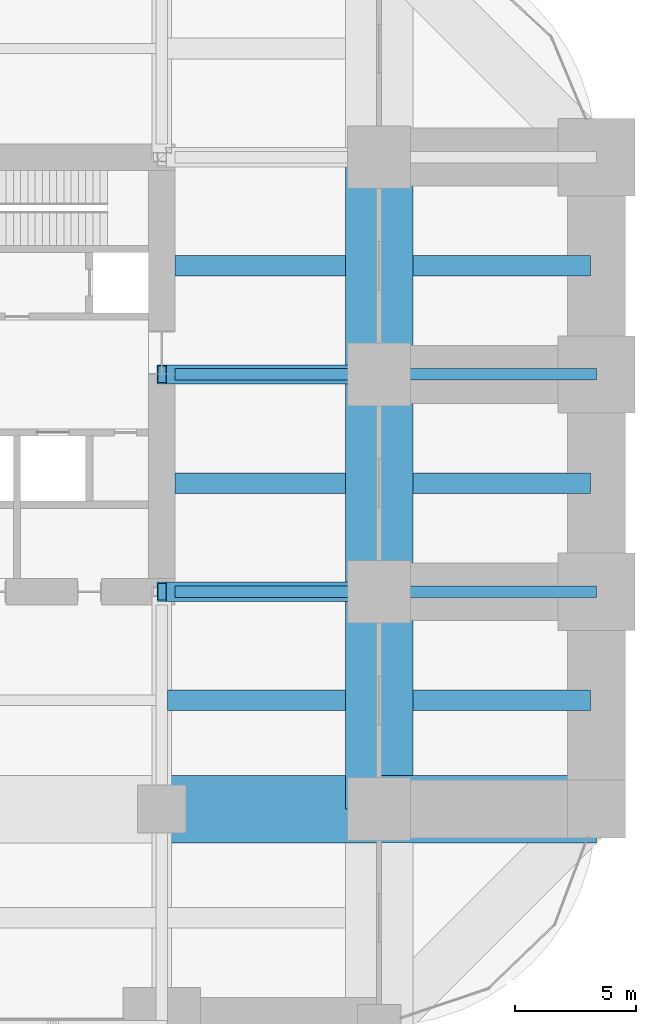
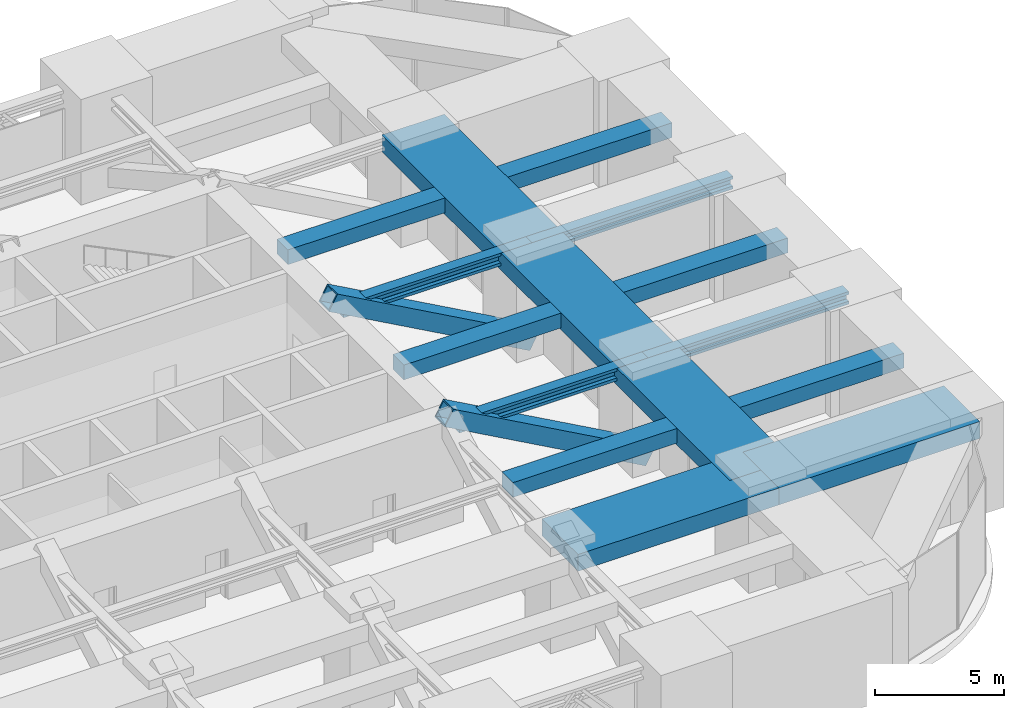
# One storey, part 19 of 38: 15 beams, 2 members.
"""IFC4 building model written with IfcOpenShell, lengths in metres."""

import ifcopenshell
import ifcopenshell.guid

model = None  # the IFC model being written
_history = None  # IfcOwnerHistory: only IFC2X3 demands one
_inside = {}  # id of a spatial element -> (the spatial element, [elements in it])
_under = {}  # id of a project, library or spatial element -> (it, [spatial elements below it])
_declared = {}  # id of a project -> (the project, [libraries it declares])
_typed = {}  # id of a type object -> (the type object, [elements of that type])
_made_of = {}  # id of a material, layer set ... -> (it, [elements and type objects made of it])


def new_model(schema):
    """Start an empty IFC model of exactly this schema.

    Asked for "IFC4X3", IfcOpenShell would pick the latest addendum, in which some entities
    have other attributes; the version numbers below select the first issue.
    IFC2X3 requires an IfcOwnerHistory on every rooted entity: one is made here for all.
    """
    global model, _history
    if schema == "IFC4X3":
        model = ifcopenshell.file(schema_version=(4, 3, 0, 0))
    else:
        model = ifcopenshell.file(schema=schema)
    _inside.clear()
    _under.clear()
    _declared.clear()
    _typed.clear()
    _made_of.clear()
    _history = None
    if model.schema == "IFC2X3":
        org = make("IfcOrganization", Name="unknown")
        user = make(
            "IfcPersonAndOrganization",
            ThePerson=make("IfcPerson", FamilyName="unknown"),
            TheOrganization=org,
        )
        app = make(
            "IfcApplication",
            ApplicationDeveloper=org,
            Version="unknown",
            ApplicationFullName="unknown",
            ApplicationIdentifier="unknown",
        )
        _history = make(
            "IfcOwnerHistory",
            OwningUser=user,
            OwningApplication=app,
            ChangeAction="ADDED",
            CreationDate=0,
        )
    return model


def make(cls, **values):
    """One entity of the class cls with the attributes given. An attribute that is None is left unset."""
    return model.create_entity(
        cls, **{name: value for name, value in values.items() if value is not None}
    )


def rooted(cls, **values):
    """An entity with a GlobalId (a new one), such as an element, a storey or a relation."""
    return make(cls, GlobalId=ifcopenshell.guid.new(), OwnerHistory=_history, **values)


def si_unit(unit_type, name, prefix=None):
    """IfcSIUnit, for example si_unit("LENGTHUNIT", "METRE", prefix="MILLI")."""
    return make("IfcSIUnit", UnitType=unit_type, Prefix=prefix, Name=name)


def assignment(units):
    """IfcUnitAssignment: the units of a project."""
    return None if units is None else make("IfcUnitAssignment", Units=units)


def point(xyz):
    """IfcCartesianPoint."""
    return None if xyz is None else make("IfcCartesianPoint", Coordinates=xyz)


def direction(xyz):
    """IfcDirection."""
    return None if xyz is None else make("IfcDirection", DirectionRatios=xyz)


def frame(location, z_axis=None, x_axis=None):
    """IfcAxis2Placement3D, a coordinate frame: its origin and axes. An axis left out is left unset."""
    return make(
        "IfcAxis2Placement3D",
        Location=point(location),
        Axis=direction(z_axis),
        RefDirection=direction(x_axis),
    )


def frame_2d(location, x_axis=None):
    """IfcAxis2Placement2D, a coordinate frame in the plane: its origin and x axis."""
    return make(
        "IfcAxis2Placement2D", Location=point(location), RefDirection=direction(x_axis)
    )


def origin():
    """The frame at (0, 0, 0) with its axes left unset."""
    return frame((0.0, 0.0, 0.0))


def origin_2d():
    """The frame at (0, 0) in the plane with its x axis left unset."""
    return frame_2d((0.0, 0.0))


def place(relative_to, where):
    """IfcLocalPlacement: puts the frame where relative to a parent placement (None: the world)."""
    return make(
        "IfcLocalPlacement", PlacementRelTo=relative_to, RelativePlacement=where
    )


def context(
    kind, dimensions, precision=None, world=None, true_north=None, identifier=None
):
    """IfcGeometricRepresentationContext, for example the 3D "Model" context."""
    return make(
        "IfcGeometricRepresentationContext",
        ContextIdentifier=identifier,
        ContextType=kind,
        CoordinateSpaceDimension=dimensions,
        Precision=precision,
        WorldCoordinateSystem=world,
        TrueNorth=true_north,
    )


def subcontext(parent, identifier, kind, view, scale=None):
    """IfcGeometricRepresentationSubContext, for example "Body" below "Model"."""
    return make(
        "IfcGeometricRepresentationSubContext",
        ContextIdentifier=identifier,
        ContextType=kind,
        ParentContext=parent,
        TargetScale=scale,
        TargetView=view,
    )


def project(units=None, contexts=None):
    """IfcProject with its units and contexts."""
    return rooted(
        "IfcProject",
        Name="project",
        RepresentationContexts=contexts,
        UnitsInContext=assignment(units),
    )


def spatial(cls, under=None, at=None, **own):
    """A site, building, storey or space (cls), placed at a placement, below another one or the project."""
    s = rooted(cls, ObjectPlacement=at, **own)
    if under is not None:
        _under.setdefault(under.id(), (under, []))[1].append(s)
    return s


def profile(cls, at=None, kind="AREA", **sizes):
    """A parametric profile (cls). Its sizes go by their IFC names, for example OverallWidth=200.0."""
    return make(cls, ProfileType=kind, Position=at, **sizes)


def rectangle(**sizes):
    """IfcRectangleProfileDef."""
    return profile("IfcRectangleProfileDef", **sizes)


def hollow_rectangle(**sizes):
    """IfcRectangleHollowProfileDef."""
    return profile("IfcRectangleHollowProfileDef", **sizes)


def i_section(**sizes):
    """IfcIShapeProfileDef."""
    return profile("IfcIShapeProfileDef", **sizes)


def extrude(swept, where, along, depth):
    """IfcExtrudedAreaSolid: the profile swept, set in the frame where, extruded along a direction by depth."""
    return make(
        "IfcExtrudedAreaSolid",
        SweptArea=swept,
        Position=where,
        ExtrudedDirection=direction(along),
        Depth=depth,
    )


def shape(context_of_items, identifier, shape_type, items):
    """IfcShapeRepresentation: the items that make up one representation, for example the "Body"."""
    return make(
        "IfcShapeRepresentation",
        ContextOfItems=context_of_items,
        RepresentationIdentifier=identifier,
        RepresentationType=shape_type,
        Items=items,
    )


def material(Name=None, Category=None):
    """IfcMaterial."""
    return make("IfcMaterial", Name=Name, Category=Category)


def material_profile(
    of_material, cross_section, Name=None, Category=None, Priority=None
):
    """IfcMaterialProfile: a cross section and its material."""
    return make(
        "IfcMaterialProfile",
        Name=Name,
        Material=of_material,
        Profile=cross_section,
        Priority=Priority,
        Category=Category,
    )


def profile_set(profiles, Name=None, composite=None):
    """IfcMaterialProfileSet."""
    return make(
        "IfcMaterialProfileSet",
        Name=Name,
        MaterialProfiles=profiles,
        CompositeProfile=composite,
    )


def made_of(thing, what):
    """Note that an element or type object is made of a material, layer set ...; save() writes the relation."""
    if what is not None:
        _made_of.setdefault(what.id(), (what, []))[1].append(thing)
    return thing


def type_object(cls, material=None, **own):
    """A type object (cls), such as IfcWallType, which elements share."""
    return made_of(rooted(cls, **own), material)


def element(
    cls,
    number,
    at=None,
    inside=None,
    cuts=None,
    type_object=None,
    material=None,
    context=None,
    identifier="Body",
    shape_type=None,
    held_by="IfcProductDefinitionShape",
    body=None,
    shapes=None,
    **own,
):
    """One element of the class cls, such as IfcWall. Its Tag is "e" and its number.

    at: its placement. inside: the storey or other place that contains it. cuts: it is an
    opening in that element (IfcRelVoidsElement). A single representation is given by context,
    identifier, shape_type and body (its items); several are given by shapes. held_by: the class
    of the entity that holds the representations. save() writes the other relations.
    """
    e = rooted(cls, Tag="e%d" % number, ObjectPlacement=at, **own)
    if body is not None:
        shapes = [shape(context, identifier, shape_type, body)]
    if shapes is not None:
        e.Representation = make(held_by, Representations=shapes)
    if inside is not None:
        _inside.setdefault(inside.id(), (inside, []))[1].append(e)
    if cuts is not None:
        rooted(
            "IfcRelVoidsElement", RelatingBuildingElement=cuts, RelatedOpeningElement=e
        )
    if type_object is not None:
        _typed.setdefault(type_object.id(), (type_object, []))[1].append(e)
    return made_of(e, material)


def aggregate(whole, parts):
    """IfcRelAggregates: a whole, such as a stair, and the parts it consists of."""
    return rooted("IfcRelAggregates", RelatingObject=whole, RelatedObjects=parts)


def save(model, path):
    """Write the relations noted so far, then the file.

    IfcRelAggregates (storeys below a building ...), IfcRelContainedInSpatialStructure (elements
    in a storey), IfcRelDefinesByType, IfcRelAssociatesMaterial and IfcRelDeclares: one each for
    every whole, place, type object, material and project.
    """
    for whole, parts in _under.values():
        aggregate(whole, parts)
    for where, things in _inside.values():
        rooted(
            "IfcRelContainedInSpatialStructure",
            RelatedElements=things,
            RelatingStructure=where,
        )
    for kind, things in _typed.values():
        rooted("IfcRelDefinesByType", RelatedObjects=things, RelatingType=kind)
    for what, things in _made_of.values():
        rooted("IfcRelAssociatesMaterial", RelatedObjects=things, RelatingMaterial=what)
    for by, libraries in _declared.values():
        rooted("IfcRelDeclares", RelatingContext=by, RelatedDefinitions=libraries)
    model.write(path)


model = new_model("IFC4")

# Units and contexts
model_context = context("Model", 3, precision=1e-05, world=origin(), true_north=direction((0.0, 1.0)))
body_context = subcontext(model_context, "Body", "Model", "MODEL_VIEW")
ifc_project = project(units=[si_unit("LENGTHUNIT", "METRE"), si_unit("AREAUNIT", "SQUARE_METRE"), si_unit("VOLUMEUNIT", "CUBIC_METRE"), si_unit("PLANEANGLEUNIT", "RADIAN"), si_unit("MASSUNIT", "GRAM", prefix="KILO")], contexts=[model_context])

# Site, building, storey
site_placement = place(None, origin())
site = spatial("IfcSite", under=ifc_project, at=site_placement, CompositionType="ELEMENT")
building_placement = place(site_placement, origin())
building = spatial("IfcBuilding", under=site, at=building_placement, Name="Zorevar Civic Tower", CompositionType="ELEMENT")
storey_placement = place(building_placement, frame((0.0, 0.0, 157.199951171875)))
storey = spatial("IfcBuildingStorey", under=building, at=storey_placement, Name="L38", CompositionType="ELEMENT", Elevation=157.199951171875)

# Beams
ifc_material_1 = material(Name="Concrete C50/60", Category="concrete")
ifc_material_profile_1 = material_profile(ifc_material_1, rectangle(XDim=2.800048828125, YDim=0.800048828125, at=origin_2d()), Name="RC 2800x800")
ifc_profile_set_1 = profile_set([ifc_material_profile_1], Name="Concrete C50/60")
beam_type_1 = type_object("IfcBeamType", Name="Beam RC 2800x800", PredefinedType="BEAM", material=ifc_profile_set_1)
for number, where, z_axis, x_axis, name in (
    (1, (45.0, 9.0, 4.199951171875), (1.0, 0.0, 0.0), (0.0, 1.0, 0.0), "Girder L39"),
    (2, (54.0, 9.0, 4.199951171875), (1.0, 0.0, 0.0), (0.0, 1.0, 0.0), "Girder L39"),
    (3, (54.0, 9.0, 4.199951171875), (0.0, 1.0, 0.0), (-1.0, 0.0, 0.0), "Girder L39"),
    (4, (54.0, 18.0, 4.199951171875), (0.0, 1.0, 0.0), (-1.0, 0.0, 0.0), "Girder L39"),
    (5, (54.0, 27.0, 4.199951171875), (0.0, 1.0, 0.0), (-1.0, 0.0, 0.0), "Girder L39"),
):
    element("IfcBeam", number, at=place(storey_placement, frame(where, z_axis=z_axis, x_axis=x_axis)), inside=storey, type_object=beam_type_1, Name=name, PredefinedType="BEAM", context=body_context, shape_type="SweptSolid", body=[
        extrude(rectangle(XDim=2.800048828125, YDim=0.800048828125, at=origin_2d()), origin(), (0.0, 0.0, 1.0), 9.0),
    ])
ifc_material_2 = material(Name="Concrete C50/60", Category="concrete")
ifc_material_profile_2 = material_profile(ifc_material_2, rectangle(XDim=0.85009765625, YDim=0.699951171875, at=origin_2d()), Name="RC 850x700")
ifc_profile_set_2 = profile_set([ifc_material_profile_2], Name="Concrete C50/60")
beam_type_2 = type_object("IfcBeamType", Name="Beam RC 850x700", PredefinedType="BEAM", material=ifc_profile_set_2)
for number, where, z_axis, x_axis, name in (
    (6, (45.238037109375, 13.5, 4.25), (1.0, 0.0, 0.0), (0.0, 1.0, 0.0), "Secondary beam L39"),
    (7, (55.39990234375, 13.5, 4.25), (1.0, 0.0, 0.0), (0.0, 1.0, 0.0), "Secondary beam L39"),
):
    element("IfcBeam", number, at=place(storey_placement, frame(where, z_axis=z_axis, x_axis=x_axis)), inside=storey, type_object=beam_type_2, Name=name, PredefinedType="BEAM", context=body_context, shape_type="SweptSolid", body=[
        extrude(rectangle(XDim=0.85009765625, YDim=0.699951171875, at=origin_2d()), origin(), (0.0, 0.0, 1.0), 7.362060546875),
    ])
beam_1_placement = place(storey_placement, frame((45.550048828125, 22.5, 4.25), z_axis=(1.0, 0.0, 0.0), x_axis=(0.0, 1.0, 0.0)))
element("IfcBeam", 8, at=beam_1_placement, inside=storey, type_object=beam_type_2, Name="Secondary beam L39", PredefinedType="BEAM", context=body_context, shape_type="SweptSolid", body=[
    extrude(rectangle(XDim=0.85009765625, YDim=0.699951171875, at=origin_2d()), origin(), (0.0, 0.0, 1.0), 7.050048828125),
])
beam_2_placement = place(storey_placement, frame((55.39990234375, 22.5, 4.25), z_axis=(1.0, 0.0, 0.0), x_axis=(0.0, 1.0, 0.0)))
element("IfcBeam", 9, at=beam_2_placement, inside=storey, type_object=beam_type_2, Name="Secondary beam L39", PredefinedType="BEAM", context=body_context, shape_type="SweptSolid", body=[
    extrude(rectangle(XDim=0.85009765625, YDim=0.699951171875, at=origin_2d()), origin(), (0.0, 0.0, 1.0), 7.362060546875),
])
beam_3_placement = place(storey_placement, frame((45.550048828125, 31.5, 4.25), z_axis=(1.0, 0.0, 0.0), x_axis=(0.0, 1.0, 0.0)))
element("IfcBeam", 10, at=beam_3_placement, inside=storey, type_object=beam_type_2, Name="Secondary beam L39", PredefinedType="BEAM", context=body_context, shape_type="SweptSolid", body=[
    extrude(rectangle(XDim=0.85009765625, YDim=0.699951171875, at=origin_2d()), origin(), (0.0, 0.0, 1.0), 7.050048828125),
])
beam_4_placement = place(storey_placement, frame((55.39990234375, 31.5, 4.25), z_axis=(1.0, 0.0, 0.0), x_axis=(0.0, 1.0, 0.0)))
element("IfcBeam", 11, at=beam_4_placement, inside=storey, type_object=beam_type_2, Name="Secondary beam L39", PredefinedType="BEAM", context=body_context, shape_type="SweptSolid", body=[
    extrude(rectangle(XDim=0.85009765625, YDim=0.699951171875, at=origin_2d()), origin(), (0.0, 0.0, 1.0), 7.362060546875),
])
ifc_material_3 = material(Name="Steel S460M (HISTAR 460)", Category="steel")
ifc_material_profile_3 = material_profile(ifc_material_3, i_section(OverallWidth=0.47607421875, OverallDepth=0.60009765625, WebThickness=0.10009765625, FlangeThickness=0.139892578125, FilletRadius=0.014892578125, at=origin_2d()), Name="HD 400x1299")
ifc_profile_set_3 = profile_set([ifc_material_profile_3], Name="Steel S460M (HISTAR 460)")
beam_type_3 = type_object("IfcBeamType", Name="Outrigger chord HD 400x1299", PredefinedType="BEAM", material=ifc_profile_set_3)
beam_5_placement = place(storey_placement, frame((45.550048828125, 18.0, 4.300048828125), z_axis=(1.0, 0.0, 0.0), x_axis=(0.0, 1.0, 0.0)))
element("IfcBeam", 12, at=beam_5_placement, inside=storey, type_object=beam_type_3, Name="Outrigger chord L39", PredefinedType="BEAM", context=body_context, shape_type="SweptSolid", body=[
    extrude(i_section(OverallWidth=0.47607421875, OverallDepth=0.60009765625, WebThickness=0.10009765625, FlangeThickness=0.139892578125, FilletRadius=0.014892578125, at=origin_2d()), origin(), (0.0, 0.0, 1.0), 8.449951171875),
])
beam_6_placement = place(storey_placement, frame((54.0, 18.0, 4.300048828125), z_axis=(1.0, 0.0, 0.0), x_axis=(0.0, 1.0, 0.0)))
element("IfcBeam", 13, at=beam_6_placement, inside=storey, type_object=beam_type_3, Name="Outrigger chord L39", PredefinedType="BEAM", context=body_context, shape_type="SweptSolid", body=[
    extrude(i_section(OverallWidth=0.47607421875, OverallDepth=0.60009765625, WebThickness=0.10009765625, FlangeThickness=0.139892578125, FilletRadius=0.014892578125, at=origin_2d()), origin(), (0.0, 0.0, 1.0), 9.0),
])
beam_7_placement = place(storey_placement, frame((45.550048828125, 27.0, 4.300048828125), z_axis=(1.0, 0.0, 0.0), x_axis=(0.0, 1.0, 0.0)))
element("IfcBeam", 14, at=beam_7_placement, inside=storey, type_object=beam_type_3, Name="Outrigger chord L39", PredefinedType="BEAM", context=body_context, shape_type="SweptSolid", body=[
    extrude(i_section(OverallWidth=0.47607421875, OverallDepth=0.60009765625, WebThickness=0.10009765625, FlangeThickness=0.139892578125, FilletRadius=0.014892578125, at=origin_2d()), origin(), (0.0, 0.0, 1.0), 8.449951171875),
])
beam_8_placement = place(storey_placement, frame((54.0, 27.0, 4.300048828125), z_axis=(1.0, 0.0, 0.0), x_axis=(0.0, 1.0, 0.0)))
element("IfcBeam", 15, at=beam_8_placement, inside=storey, type_object=beam_type_3, Name="Outrigger chord L39", PredefinedType="BEAM", context=body_context, shape_type="SweptSolid", body=[
    extrude(i_section(OverallWidth=0.47607421875, OverallDepth=0.60009765625, WebThickness=0.10009765625, FlangeThickness=0.139892578125, FilletRadius=0.014892578125, at=origin_2d()), origin(), (0.0, 0.0, 1.0), 9.0),
])

# Members
ifc_material_4 = material(Name="Steel S460M (HISTAR 460)", Category="steel")
ifc_material_profile_4 = material_profile(ifc_material_4, hollow_rectangle(XDim=0.800048828125, YDim=0.800048828125, WallThickness=0.06005859375, at=origin_2d()), Name="BOX 800x800x60")
ifc_profile_set_4 = profile_set([ifc_material_profile_4], Name="Steel S460M (HISTAR 460)")
member_type = type_object("IfcMemberType", Name="Outrigger diagonal BOX 800x800x60", PredefinedType="BRACE", material=ifc_profile_set_4)
for number, where, z_axis, x_axis, name in (
    (16, (45.0, 18.0, 5.0), (0.874157276122, 0.0, -0.485642931179), (0.0, 1.0, 0.0), "Outrigger diagonal E L38"),
    (17, (45.0, 27.0, 5.0), (0.874157276122, 0.0, -0.485642931179), (0.0, 1.0, 0.0), "Outrigger diagonal E L38"),
):
    element("IfcMember", number, at=place(storey_placement, frame(where, z_axis=z_axis, x_axis=x_axis)), inside=storey, type_object=member_type, Name=name, PredefinedType="BRACE", context=body_context, shape_type="SweptSolid", body=[
        extrude(hollow_rectangle(XDim=0.800048828125, YDim=0.800048828125, WallThickness=0.06005859375, at=origin_2d()), origin(), (0.0, 0.0, 1.0), 10.295654296875),
    ])

save(model, "model.ifc")
